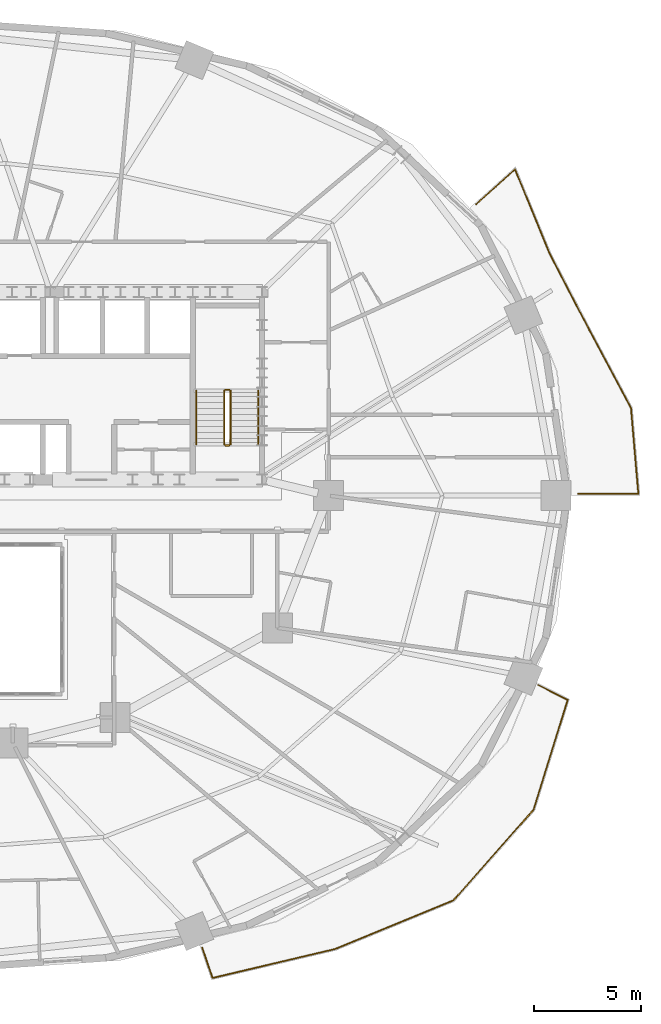
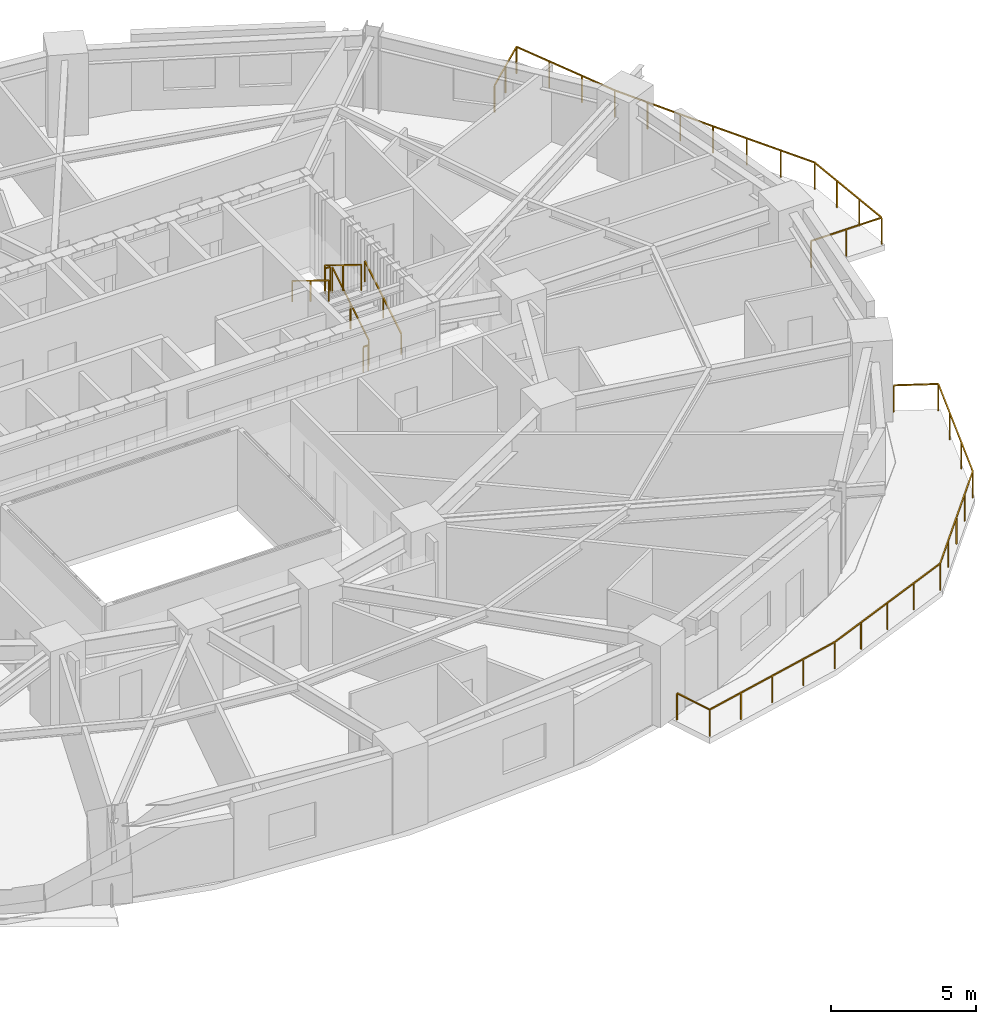
# One storey, part 15 of 15: 8 railings.
"""IFC4 building model written with IfcOpenShell, lengths in metres."""

from ifc_helpers import new_model, si_unit, direction, frame, origin, origin_2d, place, context, subcontext, project, spatial, rectangle, extrude, material, type_object, element, save


model = new_model("IFC4")

# Units and contexts
model_context = context("Model", 3, precision=1e-05, world=origin(), true_north=direction((0.0, 1.0)))
body_context = subcontext(model_context, "Body", "Model", "MODEL_VIEW")
ifc_project = project(units=[si_unit("LENGTHUNIT", "METRE"), si_unit("AREAUNIT", "SQUARE_METRE"), si_unit("VOLUMEUNIT", "CUBIC_METRE"), si_unit("PLANEANGLEUNIT", "RADIAN"), si_unit("MASSUNIT", "GRAM", prefix="KILO")], contexts=[model_context])

# Site, building, storey
site_placement = place(None, origin())
site = spatial("IfcSite", under=ifc_project, at=site_placement, CompositionType="ELEMENT")
building_placement = place(site_placement, origin())
building = spatial("IfcBuilding", under=site, at=building_placement, Name="Haldorwick Loom Tower", CompositionType="ELEMENT")
storey_placement = place(building_placement, frame((0.0, 0.0, 81.800048828125)))
storey = spatial("IfcBuildingStorey", under=building, at=storey_placement, Name="L21", CompositionType="ELEMENT", Elevation=81.800048828125)

# Railings
ifc_material_1 = material(Name="Galvanized Steel CSA G40.21 350W", Category="steel")
railing_type_1 = type_object("IfcRailingType", Name="ARC-RLG-BAL115", PredefinedType="BALUSTRADE", material=ifc_material_1)
railing_1_placement = place(storey_placement, frame((63.0283203125, 17.123291015625, 0.0)))
element("IfcRailing", 1, at=railing_1_placement, inside=storey, type_object=railing_type_1, Name="L21 Outdoor Terrace Guardrail SLB-L21-BAL_SE-1", PredefinedType="BALUSTRADE", context=body_context, shape_type="SweptSolid", body=[
    extrude(rectangle(XDim=0.048095703125, YDim=0.048095703125, at=origin_2d()), frame((0.0, 0.0, 1.1259765625), z_axis=(0.8919159442, -0.452201225652, 0.0), x_axis=(0.452201225652, 0.8919159442, 0.0)), (0.0, 0.0, 1.0), 1.544677734375),
    extrude(rectangle(XDim=0.048095703125, YDim=0.048095703125, at=origin_2d()), frame((1.377685546875, -0.698486328125, 1.1259765625), z_axis=(-0.296601426809, -0.955001357913, 0.0), x_axis=(0.955001357913, -0.296601426809, 0.0)), (0.0, 0.0, 1.0), 5.392333984375),
    extrude(rectangle(XDim=0.048095703125, YDim=0.048095703125, at=origin_2d()), frame((-0.2216796875, -5.84814453125, 1.1259765625), z_axis=(-0.662162917126, -0.749359907644, 0.0), x_axis=(0.749359907644, -0.662162917126, 0.0)), (0.0, 0.0, 1.0), 5.6669921875),
    extrude(rectangle(XDim=0.048095703125, YDim=0.048095703125, at=origin_2d()), frame((-3.97412109375, -10.0947265625, 1.1259765625), z_axis=(-0.924562095915, -0.381031403952, 0.0), x_axis=(0.381031403952, -0.924562095915, 0.0)), (0.0, 0.0, 1.0), 5.9736328125),
    extrude(rectangle(XDim=0.048095703125, YDim=0.048095703125, at=origin_2d()), frame((-9.4970703125, -12.370849609375, 1.1259765625), z_axis=(-0.973168865287, -0.230092067739, 0.0), x_axis=(0.230092067739, -0.973168865287, 0.0)), (0.0, 0.0, 1.0), 5.932373046875),
    extrude(rectangle(XDim=0.048095703125, YDim=0.048095703125, at=origin_2d()), frame((-15.270263671875, -13.73583984375, 1.1259765625), z_axis=(-0.322571147771, 0.946545220592, 0.0), x_axis=(-0.946545220592, -0.322571147771, 0.0)), (0.0, 0.0, 1.0), 1.499267578125),
    extrude(rectangle(XDim=0.0419921875, YDim=0.0419921875, at=origin_2d()), origin(), (0.0, 0.0, 1.0), 1.101806640625),
    extrude(rectangle(XDim=0.0419921875, YDim=0.0419921875, at=origin_2d()), frame((1.377685546875, -0.698486328125, 0.0)), (0.0, 0.0, 1.0), 1.101806640625),
    extrude(rectangle(XDim=0.0419921875, YDim=0.0419921875, at=origin_2d()), frame((0.844482421875, -2.4150390625, 0.0)), (0.0, 0.0, 1.0), 1.101806640625),
    extrude(rectangle(XDim=0.0419921875, YDim=0.0419921875, at=origin_2d()), frame((0.3115234375, -4.131591796875, 0.0)), (0.0, 0.0, 1.0), 1.101806640625),
    extrude(rectangle(XDim=0.0419921875, YDim=0.0419921875, at=origin_2d()), frame((-0.2216796875, -5.84814453125, 0.0)), (0.0, 0.0, 1.0), 1.101806640625),
    extrude(rectangle(XDim=0.0419921875, YDim=0.0419921875, at=origin_2d()), frame((-1.15966796875, -6.90966796875, 0.0)), (0.0, 0.0, 1.0), 1.101806640625),
    extrude(rectangle(XDim=0.0419921875, YDim=0.0419921875, at=origin_2d()), frame((-2.097900390625, -7.971435546875, 0.0)), (0.0, 0.0, 1.0), 1.101806640625),
    extrude(rectangle(XDim=0.0419921875, YDim=0.0419921875, at=origin_2d()), frame((-3.0361328125, -9.033203125, 0.0)), (0.0, 0.0, 1.0), 1.101806640625),
    extrude(rectangle(XDim=0.0419921875, YDim=0.0419921875, at=origin_2d()), frame((-3.97412109375, -10.0947265625, 0.0)), (0.0, 0.0, 1.0), 1.101806640625),
    extrude(rectangle(XDim=0.0419921875, YDim=0.0419921875, at=origin_2d()), frame((-5.35498046875, -10.663818359375, 0.0)), (0.0, 0.0, 1.0), 1.101806640625),
    extrude(rectangle(XDim=0.0419921875, YDim=0.0419921875, at=origin_2d()), frame((-6.735595703125, -11.23291015625, 0.0)), (0.0, 0.0, 1.0), 1.101806640625),
    extrude(rectangle(XDim=0.0419921875, YDim=0.0419921875, at=origin_2d()), frame((-8.1162109375, -11.8017578125, 0.0)), (0.0, 0.0, 1.0), 1.101806640625),
    extrude(rectangle(XDim=0.0419921875, YDim=0.0419921875, at=origin_2d()), frame((-9.4970703125, -12.370849609375, 0.0)), (0.0, 0.0, 1.0), 1.101806640625),
    extrude(rectangle(XDim=0.0419921875, YDim=0.0419921875, at=origin_2d()), frame((-10.9404296875, -12.712158203125, 0.0)), (0.0, 0.0, 1.0), 1.101806640625),
    extrude(rectangle(XDim=0.0419921875, YDim=0.0419921875, at=origin_2d()), frame((-12.3837890625, -13.05322265625, 0.0)), (0.0, 0.0, 1.0), 1.101806640625),
    extrude(rectangle(XDim=0.0419921875, YDim=0.0419921875, at=origin_2d()), frame((-13.826904296875, -13.39453125, 0.0)), (0.0, 0.0, 1.0), 1.101806640625),
    extrude(rectangle(XDim=0.0419921875, YDim=0.0419921875, at=origin_2d()), frame((-15.270263671875, -13.73583984375, 0.0)), (0.0, 0.0, 1.0), 1.101806640625),
    extrude(rectangle(XDim=0.0419921875, YDim=0.0419921875, at=origin_2d()), frame((-15.75390625, -12.316650390625, 0.0)), (0.0, 0.0, 1.0), 1.101806640625),
])
railing_2_placement = place(storey_placement, frame((60.115966796875, 39.656494140625, 0.0)))
element("IfcRailing", 2, at=railing_2_placement, inside=storey, type_object=railing_type_1, Name="L21 Outdoor Terrace Guardrail SLB-L21-BAL_ENE-1", PredefinedType="BALUSTRADE", context=body_context, shape_type="SweptSolid", body=[
    extrude(rectangle(XDim=0.048095703125, YDim=0.048095703125, at=origin_2d()), frame((0.0, 0.0, 1.1259765625), z_axis=(0.74337337644, 0.66887668759, 0.0), x_axis=(-0.66887668759, 0.74337337644, 0.0)), (0.0, 0.0, 1.0), 2.451416015625),
    extrude(rectangle(XDim=0.048095703125, YDim=0.048095703125, at=origin_2d()), frame((1.822265625, 1.6396484375, 1.1259765625), z_axis=(0.380081716568, -0.924952911629, 0.0), x_axis=(0.924952911629, 0.380081716568, 0.0)), (0.0, 0.0, 1.0), 4.283203125),
    extrude(rectangle(XDim=0.048095703125, YDim=0.048095703125, at=origin_2d()), frame((3.4501953125, -2.322021484375, 1.1259765625), z_axis=(0.406138466053, -0.91381154862, 0.0), x_axis=(0.91381154862, 0.406138466053, 0.0)), (0.0, 0.0, 1.0), 0.00732421875),
    extrude(rectangle(XDim=0.048095703125, YDim=0.048095703125, at=origin_2d()), frame((3.453125, -2.32861328125, 1.1259765625), z_axis=(0.460848353345, -0.887478898464, 0.0), x_axis=(0.887478898464, 0.460848353345, 0.0)), (0.0, 0.0, 1.0), 4.024169921875),
    extrude(rectangle(XDim=0.048095703125, YDim=0.048095703125, at=origin_2d()), frame((5.3076171875, -5.89990234375, 1.1259765625), z_axis=(0.707106781187, -0.707106781187, 0.0), x_axis=(0.707106781187, 0.707106781187, 0.0)), (0.0, 0.0, 1.0), 0.0009765625),
    extrude(rectangle(XDim=0.048095703125, YDim=0.048095703125, at=origin_2d()), frame((5.308349609375, -5.900634765625, 1.1259765625), z_axis=(0.471888426773, -0.88165827432, 0.0), x_axis=(0.88165827432, 0.471888426773, 0.0)), (0.0, 0.0, 1.0), 4.130615234375),
    extrude(rectangle(XDim=0.048095703125, YDim=0.048095703125, at=origin_2d()), frame((7.257568359375, -9.54248046875, 1.1259765625), z_axis=(0.08568504214, -0.996322273942, 0.0), x_axis=(0.996322273942, 0.08568504214, 0.0)), (0.0, 0.0, 1.0), 4.048828125),
    extrude(rectangle(XDim=0.048095703125, YDim=0.048095703125, at=origin_2d()), frame((7.6044921875, -13.576416015625, 1.1259765625), z_axis=(-1.0, 0.0, 0.0), x_axis=(0.0, -1.0, 0.0)), (0.0, 0.0, 1.0), 2.819580078125),
    extrude(rectangle(XDim=0.0419921875, YDim=0.0419921875, at=origin_2d()), origin(), (0.0, 0.0, 1.0), 1.101806640625),
    extrude(rectangle(XDim=0.0419921875, YDim=0.0419921875, at=origin_2d()), frame((0.9111328125, 0.81982421875, 0.0)), (0.0, 0.0, 1.0), 1.101806640625),
    extrude(rectangle(XDim=0.0419921875, YDim=0.0419921875, at=origin_2d()), frame((1.822265625, 1.6396484375, 0.0)), (0.0, 0.0, 1.0), 1.101806640625),
    extrude(rectangle(XDim=0.0419921875, YDim=0.0419921875, at=origin_2d()), frame((2.364990234375, 0.319091796875, 0.0)), (0.0, 0.0, 1.0), 1.101806640625),
    extrude(rectangle(XDim=0.0419921875, YDim=0.0419921875, at=origin_2d()), frame((2.907470703125, -1.00146484375, 0.0)), (0.0, 0.0, 1.0), 1.101806640625),
    extrude(rectangle(XDim=0.0419921875, YDim=0.0419921875, at=origin_2d()), frame((3.4501953125, -2.322021484375, 0.0)), (0.0, 0.0, 1.0), 1.101806640625),
    extrude(rectangle(XDim=0.0419921875, YDim=0.0419921875, at=origin_2d()), frame((4.0712890625, -3.51904296875, 0.0)), (0.0, 0.0, 1.0), 1.101806640625),
    extrude(rectangle(XDim=0.0419921875, YDim=0.0419921875, at=origin_2d()), frame((4.689453125, -4.70947265625, 0.0)), (0.0, 0.0, 1.0), 1.101806640625),
    extrude(rectangle(XDim=0.0419921875, YDim=0.0419921875, at=origin_2d()), frame((5.3076171875, -5.89990234375, 0.0)), (0.0, 0.0, 1.0), 1.101806640625),
    extrude(rectangle(XDim=0.0419921875, YDim=0.0419921875, at=origin_2d()), frame((5.9580078125, -7.114501953125, 0.0)), (0.0, 0.0, 1.0), 1.101806640625),
    extrude(rectangle(XDim=0.0419921875, YDim=0.0419921875, at=origin_2d()), frame((6.60791015625, -8.32861328125, 0.0)), (0.0, 0.0, 1.0), 1.101806640625),
    extrude(rectangle(XDim=0.0419921875, YDim=0.0419921875, at=origin_2d()), frame((7.257568359375, -9.54248046875, 0.0)), (0.0, 0.0, 1.0), 1.101806640625),
    extrude(rectangle(XDim=0.0419921875, YDim=0.0419921875, at=origin_2d()), frame((7.373291015625, -10.88720703125, 0.0)), (0.0, 0.0, 1.0), 1.101806640625),
    extrude(rectangle(XDim=0.0419921875, YDim=0.0419921875, at=origin_2d()), frame((7.48876953125, -12.231689453125, 0.0)), (0.0, 0.0, 1.0), 1.101806640625),
    extrude(rectangle(XDim=0.0419921875, YDim=0.0419921875, at=origin_2d()), frame((7.6044921875, -13.576416015625, 0.0)), (0.0, 0.0, 1.0), 1.101806640625),
    extrude(rectangle(XDim=0.0419921875, YDim=0.0419921875, at=origin_2d()), frame((6.19482421875, -13.576416015625, 0.0)), (0.0, 0.0, 1.0), 1.101806640625),
    extrude(rectangle(XDim=0.0419921875, YDim=0.0419921875, at=origin_2d()), frame((4.784912109375, -13.576416015625, 0.0)), (0.0, 0.0, 1.0), 1.101806640625),
])
ifc_material_2 = material(Name="Steel CSA G40.21 350W", Category="steel")
railing_type_2 = type_object("IfcRailingType", Name="ARC-RLG-GUARD112", PredefinedType="GUARDRAIL", material=ifc_material_2)
railing_3_placement = place(storey_placement, frame((48.60009765625, 28.39990234375, 0.17236328125)))
element("IfcRailing", 3, at=railing_3_placement, inside=storey, type_object=railing_type_2, Name="L21 ST-02 stair guard 1", PredefinedType="GUARDRAIL", context=body_context, shape_type="SweptSolid", body=[
    extrude(rectangle(XDim=0.048095703125, YDim=0.048095703125, at=origin_2d()), frame((0.0, 0.0, 1.076171875), z_axis=(0.0, 0.851400495292, 0.524516154772), x_axis=(-1.0, 0.0, 0.0)), (0.0, 0.0, 1.0), 2.9599609375),
    extrude(rectangle(XDim=0.0419921875, YDim=0.0419921875, at=origin_2d()), origin(), (0.0, 0.0, 1.0), 1.052001953125),
    extrude(rectangle(XDim=0.0419921875, YDim=0.0419921875, at=origin_2d()), frame((0.0, 1.260009765625, 0.7763671875)), (0.0, 0.0, 1.0), 1.052001953125),
    extrude(rectangle(XDim=0.0419921875, YDim=0.0419921875, at=origin_2d()), frame((0.0, 2.52001953125, 1.552490234375)), (0.0, 0.0, 1.0), 1.052001953125),
])
railing_4_placement = place(storey_placement, frame((48.550048828125, 30.969970703125, 1.724853515625)))
element("IfcRailing", 4, at=railing_4_placement, inside=storey, type_object=railing_type_2, Name="L21 ST-02 stair guard 2", PredefinedType="GUARDRAIL", context=body_context, shape_type="SweptSolid", body=[
    extrude(rectangle(XDim=0.048095703125, YDim=0.048095703125, at=origin_2d()), frame((0.0, 0.0, 1.076171875), z_axis=(-1.0, 0.0, 0.0), x_axis=(0.0, -1.0, 0.0)), (0.0, 0.0, 1.0), 0.199951171875),
    extrude(rectangle(XDim=0.0419921875, YDim=0.0419921875, at=origin_2d()), origin(), (0.0, 0.0, 1.0), 1.052001953125),
    extrude(rectangle(XDim=0.0419921875, YDim=0.0419921875, at=origin_2d()), frame((-0.199951171875, 0.0, 0.0)), (0.0, 0.0, 1.0), 1.052001953125),
])
railing_5_placement = place(storey_placement, frame((48.300048828125, 30.919921875, 1.8974609375)))
element("IfcRailing", 5, at=railing_5_placement, inside=storey, type_object=railing_type_2, Name="L21 ST-02 stair guard 3", PredefinedType="GUARDRAIL", context=body_context, shape_type="SweptSolid", body=[
    extrude(rectangle(XDim=0.048095703125, YDim=0.048095703125, at=origin_2d()), frame((0.0, 0.0, 1.076171875), z_axis=(0.0, -0.851400495292, 0.524516154772), x_axis=(1.0, 0.0, 0.0)), (0.0, 0.0, 1.0), 2.9599609375),
    extrude(rectangle(XDim=0.0419921875, YDim=0.0419921875, at=origin_2d()), origin(), (0.0, 0.0, 1.0), 1.052001953125),
    extrude(rectangle(XDim=0.0419921875, YDim=0.0419921875, at=origin_2d()), frame((0.0, -1.260009765625, 0.7763671875)), (0.0, 0.0, 1.0), 1.052001953125),
    extrude(rectangle(XDim=0.0419921875, YDim=0.0419921875, at=origin_2d()), frame((0.0, -2.52001953125, 1.552490234375)), (0.0, 0.0, 1.0), 1.052001953125),
])
railing_6_placement = place(storey_placement, frame((48.550048828125, 28.35009765625, 0.0)))
element("IfcRailing", 6, at=railing_6_placement, inside=storey, type_object=railing_type_2, Name="L21 ST-02 stair guard 4", PredefinedType="GUARDRAIL", context=body_context, shape_type="SweptSolid", body=[
    extrude(rectangle(XDim=0.048095703125, YDim=0.048095703125, at=origin_2d()), frame((0.0, 0.0, 1.076171875), z_axis=(-1.0, 0.0, 0.0), x_axis=(0.0, -1.0, 0.0)), (0.0, 0.0, 1.0), 0.199951171875),
    extrude(rectangle(XDim=0.0419921875, YDim=0.0419921875, at=origin_2d()), origin(), (0.0, 0.0, 1.0), 1.052001953125),
    extrude(rectangle(XDim=0.0419921875, YDim=0.0419921875, at=origin_2d()), frame((-0.199951171875, 0.0, 0.0)), (0.0, 0.0, 1.0), 1.052001953125),
])
railing_type_3 = type_object("IfcRailingType", Name="ARC-RLG-HAND092", PredefinedType="HANDRAIL", material=ifc_material_2)
railing_7_placement = place(storey_placement, frame((49.89990234375, 28.39990234375, 0.17236328125)))
element("IfcRailing", 7, at=railing_7_placement, inside=storey, type_object=railing_type_3, Name="L21 ST-02 stair handrail 1", PredefinedType="HANDRAIL", context=body_context, shape_type="SweptSolid", body=[
    extrude(rectangle(XDim=0.048095703125, YDim=0.048095703125, at=origin_2d()), frame((0.0, 0.0, 0.8759765625), z_axis=(0.0, 0.851400495292, 0.524516154772), x_axis=(-1.0, 0.0, 0.0)), (0.0, 0.0, 1.0), 2.9599609375),
    extrude(rectangle(XDim=0.0419921875, YDim=0.0419921875, at=origin_2d()), origin(), (0.0, 0.0, 1.0), 0.851806640625),
    extrude(rectangle(XDim=0.0419921875, YDim=0.0419921875, at=origin_2d()), frame((0.0, 1.260009765625, 0.7763671875)), (0.0, 0.0, 1.0), 0.851806640625),
    extrude(rectangle(XDim=0.0419921875, YDim=0.0419921875, at=origin_2d()), frame((0.0, 2.52001953125, 1.552490234375)), (0.0, 0.0, 1.0), 0.851806640625),
])
railing_8_placement = place(storey_placement, frame((47.0, 30.919921875, 1.8974609375)))
element("IfcRailing", 8, at=railing_8_placement, inside=storey, type_object=railing_type_3, Name="L21 ST-02 stair handrail 2", PredefinedType="HANDRAIL", context=body_context, shape_type="SweptSolid", body=[
    extrude(rectangle(XDim=0.048095703125, YDim=0.048095703125, at=origin_2d()), frame((0.0, 0.0, 0.8759765625), z_axis=(0.0, -0.851400495292, 0.524516154772), x_axis=(1.0, 0.0, 0.0)), (0.0, 0.0, 1.0), 2.9599609375),
    extrude(rectangle(XDim=0.0419921875, YDim=0.0419921875, at=origin_2d()), origin(), (0.0, 0.0, 1.0), 0.851806640625),
    extrude(rectangle(XDim=0.0419921875, YDim=0.0419921875, at=origin_2d()), frame((0.0, -1.260009765625, 0.7763671875)), (0.0, 0.0, 1.0), 0.851806640625),
    extrude(rectangle(XDim=0.0419921875, YDim=0.0419921875, at=origin_2d()), frame((0.0, -2.52001953125, 1.552490234375)), (0.0, 0.0, 1.0), 0.851806640625),
])

save(model, "model.ifc")
